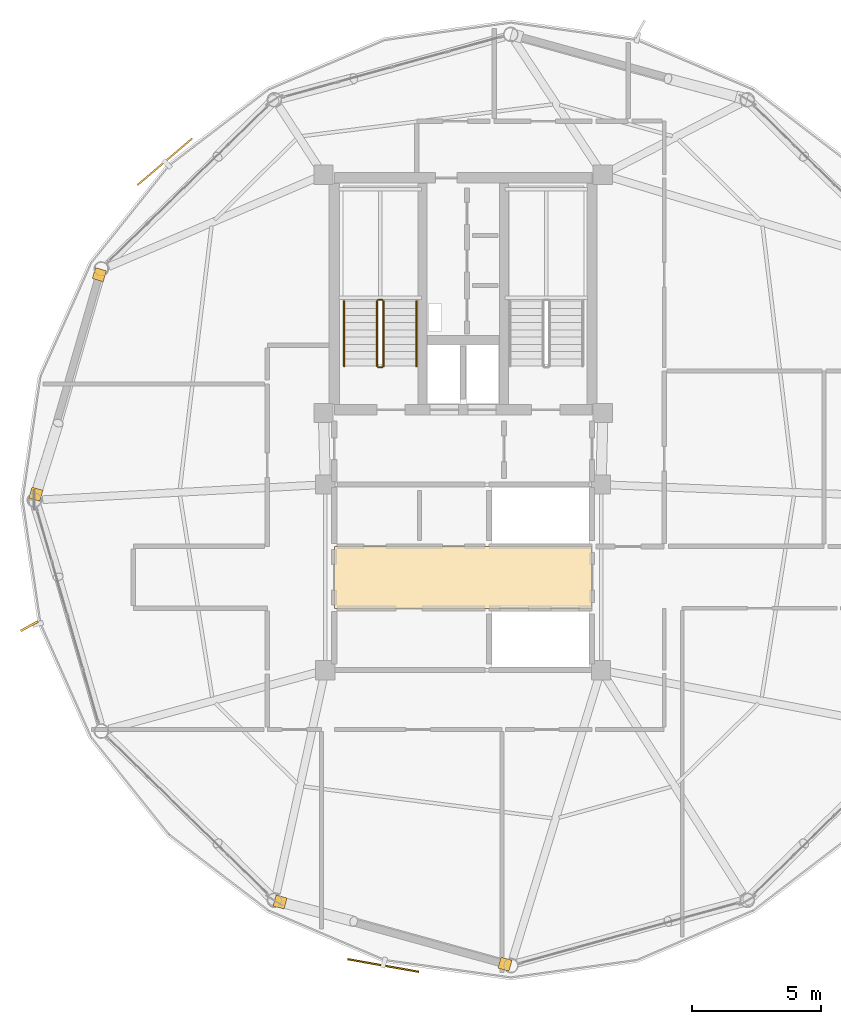
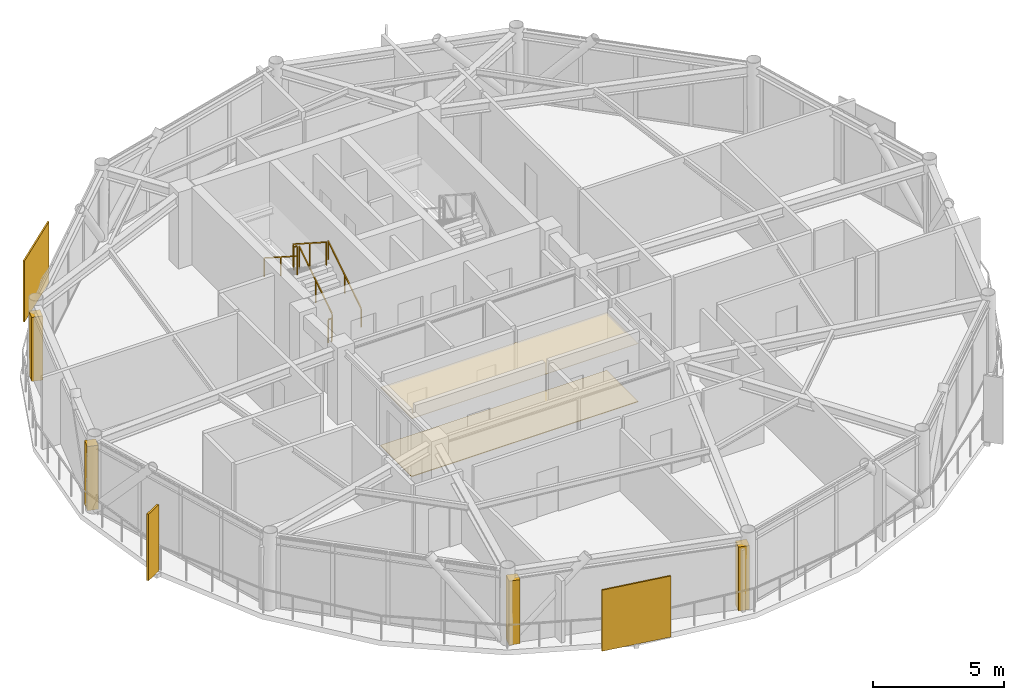
# One storey, part 25 of 27: 6 coverings, 6 railings, 3 shading devices.
"""IFC4 building model written with IfcOpenShell, lengths in metres."""

from ifc_helpers import new_model, si_unit, direction, frame, origin, origin_2d, place, context, subcontext, project, spatial, polyline, rectangle, outline, extrude, source, transform, mapped, material, layer, layer_set, type_object, type_shapes, element, save


model = new_model("IFC4")

# Units and contexts
model_context = context("Model", 3, precision=1e-05, world=origin(), true_north=direction((0.0, 1.0)))
body_context = subcontext(model_context, "Body", "Model", "MODEL_VIEW")
ifc_project = project(units=[si_unit("LENGTHUNIT", "METRE"), si_unit("AREAUNIT", "SQUARE_METRE"), si_unit("VOLUMEUNIT", "CUBIC_METRE"), si_unit("PLANEANGLEUNIT", "RADIAN"), si_unit("MASSUNIT", "GRAM", prefix="KILO")], contexts=[model_context])

# Site, building, storey
site_placement = place(None, origin())
site = spatial("IfcSite", under=ifc_project, at=site_placement, CompositionType="ELEMENT")
building_placement = place(site_placement, origin())
building = spatial("IfcBuilding", under=site, at=building_placement, Name="Varnakorn Sky Granary", CompositionType="ELEMENT")
storey_placement = place(building_placement, frame((0.0, 0.0, 249.0)))
storey = spatial("IfcBuildingStorey", under=building, at=storey_placement, Name="L63", CompositionType="ELEMENT", Elevation=249.0)

# Coverings
ifc_material_1 = material(Name="Perforated Acoustic Mineral-Fibre Ceiling", Category="gypsum")
ifc_layer_1 = layer(ifc_material_1, 0.02001953125, Name="Perforated Acoustic Mineral-Fibre Ceiling")
ifc_layer_set_1 = layer_set([ifc_layer_1], Name="Perforated Acoustic Mineral-Fibre Ceiling")
covering_type_1 = type_object("IfcCoveringType", Name="CV-CEIL-20", PredefinedType="CEILING", material=ifc_layer_set_1)
covering_1_placement = place(storey_placement, frame((0.0, 0.0, 2.7099609375)))
element("IfcCovering", 1, at=covering_1_placement, inside=storey, type_object=covering_type_1, Name="Lift Lobby Perforated Acoustic Ceiling L63", PredefinedType="CEILING", context=body_context, shape_type="SweptSolid", body=[
    extrude(outline(polyline([(-2.0, -4.199951171875), (8.0, -4.199951171875), (8.0, -1.800048828125), (-2.0, -1.800048828125), (-2.0, -4.199951171875)])), origin(), (0.0, 0.0, 1.0), 0.02001953125),
])
ifc_material_2 = material(Name="Honed Epoxy Terrazzo Topping", Category="concrete")
ifc_layer_2 = layer(ifc_material_2, 0.030029296875, Name="Honed Epoxy Terrazzo Topping")
ifc_layer_set_2 = layer_set([ifc_layer_2], Name="Honed Epoxy Terrazzo Topping")
covering_type_2 = type_object("IfcCoveringType", Name="CV-FLOR-30", PredefinedType="FLOORING", material=ifc_layer_set_2)
covering_2_placement = place(storey_placement, origin())
element("IfcCovering", 2, at=covering_2_placement, inside=storey, type_object=covering_type_2, Name="Lift Lobby Terrazzo Floor Finish L63", PredefinedType="FLOORING", context=body_context, shape_type="SweptSolid", body=[
    extrude(outline(polyline([(-2.0, -4.199951171875), (8.0, -4.199951171875), (8.0, -1.800048828125), (-2.0, -1.800048828125), (-2.0, -4.199951171875)])), origin(), (0.0, 0.0, 1.0), 0.030029296875),
])

# Railings
ifc_material_3 = material(Name="Brushed Stainless Steel 316", Category="steel")
railing_type_1 = type_object("IfcRailingType", Name="RL-STAIR-1100", PredefinedType="GUARDRAIL", material=ifc_material_3)
railing_1_placement = place(storey_placement, frame((-0.090087890625, 5.199951171875, 0.179931640625)))
element("IfcRailing", 3, at=railing_1_placement, inside=storey, type_object=railing_type_1, Name="L63 ST-1 stair guard 1", PredefinedType="GUARDRAIL", context=body_context, shape_type="SweptSolid", body=[
    extrude(rectangle(XDim=0.048095703125, YDim=0.048095703125, at=origin_2d()), frame((0.0, 0.0, 1.076171875), z_axis=(0.0, 0.841162588446, 0.540782303519), x_axis=(-1.0, 0.0, 0.0)), (0.0, 0.0, 1.0), 2.995849609375),
    extrude(rectangle(XDim=0.0419921875, YDim=0.0419921875, at=origin_2d()), origin(), (0.0, 0.0, 1.0), 1.048095703125),
    extrude(rectangle(XDim=0.0419921875, YDim=0.0419921875, at=origin_2d()), frame((0.0, 1.260009765625, 0.81005859375)), (0.0, 0.0, 1.0), 1.048095703125),
    extrude(rectangle(XDim=0.0419921875, YDim=0.0419921875, at=origin_2d()), frame((0.0, 2.52001953125, 1.6201171875)), (0.0, 0.0, 1.0), 1.048095703125),
])
railing_2_placement = place(storey_placement, frame((-0.139892578125, 7.77001953125, 1.800048828125)))
element("IfcRailing", 4, at=railing_2_placement, inside=storey, type_object=railing_type_1, Name="L63 ST-1 stair guard 2", PredefinedType="GUARDRAIL", context=body_context, shape_type="SweptSolid", body=[
    extrude(rectangle(XDim=0.048095703125, YDim=0.048095703125, at=origin_2d()), frame((0.0, 0.0, 1.076171875), z_axis=(-1.0, 0.0, 0.0), x_axis=(0.0, -1.0, 0.0)), (0.0, 0.0, 1.0), 0.150146484375),
    extrude(rectangle(XDim=0.0419921875, YDim=0.0419921875, at=origin_2d()), origin(), (0.0, 0.0, 1.0), 1.048095703125),
    extrude(rectangle(XDim=0.0419921875, YDim=0.0419921875, at=origin_2d()), frame((-0.150146484375, 0.0, 0.0)), (0.0, 0.0, 1.0), 1.048095703125),
])
railing_3_placement = place(storey_placement, frame((-0.340087890625, 7.719970703125, 1.97998046875)))
element("IfcRailing", 5, at=railing_3_placement, inside=storey, type_object=railing_type_1, Name="L63 ST-1 stair guard 3", PredefinedType="GUARDRAIL", context=body_context, shape_type="SweptSolid", body=[
    extrude(rectangle(XDim=0.048095703125, YDim=0.048095703125, at=origin_2d()), frame((0.0, 0.0, 1.076171875), z_axis=(0.0, -0.841162588446, 0.540782303519), x_axis=(1.0, 0.0, 0.0)), (0.0, 0.0, 1.0), 2.995849609375),
    extrude(rectangle(XDim=0.0419921875, YDim=0.0419921875, at=origin_2d()), origin(), (0.0, 0.0, 1.0), 1.048095703125),
    extrude(rectangle(XDim=0.0419921875, YDim=0.0419921875, at=origin_2d()), frame((0.0, -1.260009765625, 0.81005859375)), (0.0, 0.0, 1.0), 1.048095703125),
    extrude(rectangle(XDim=0.0419921875, YDim=0.0419921875, at=origin_2d()), frame((0.0, -2.52001953125, 1.6201171875)), (0.0, 0.0, 1.0), 1.048095703125),
])
railing_4_placement = place(storey_placement, frame((-0.139892578125, 5.14990234375, 0.0)))
element("IfcRailing", 6, at=railing_4_placement, inside=storey, type_object=railing_type_1, Name="L63 ST-1 stair guard 4", PredefinedType="GUARDRAIL", context=body_context, shape_type="SweptSolid", body=[
    extrude(rectangle(XDim=0.048095703125, YDim=0.048095703125, at=origin_2d()), frame((0.0, 0.0, 1.076171875), z_axis=(-1.0, 0.0, 0.0), x_axis=(0.0, -1.0, 0.0)), (0.0, 0.0, 1.0), 0.150146484375),
    extrude(rectangle(XDim=0.0419921875, YDim=0.0419921875, at=origin_2d()), origin(), (0.0, 0.0, 1.0), 1.048095703125),
    extrude(rectangle(XDim=0.0419921875, YDim=0.0419921875, at=origin_2d()), frame((-0.150146484375, 0.0, 0.0)), (0.0, 0.0, 1.0), 1.048095703125),
])
railing_type_2 = type_object("IfcRailingType", Name="RL-STAIR-920", PredefinedType="HANDRAIL", material=ifc_material_3)
railing_5_placement = place(storey_placement, frame((1.18994140625, 5.199951171875, 0.179931640625)))
element("IfcRailing", 7, at=railing_5_placement, inside=storey, type_object=railing_type_2, Name="L63 ST-1 stair handrail 1", PredefinedType="HANDRAIL", context=body_context, shape_type="SweptSolid", body=[
    extrude(rectangle(XDim=0.048095703125, YDim=0.048095703125, at=origin_2d()), frame((0.0, 0.0, 0.8759765625), z_axis=(0.0, 0.841162588446, 0.540782303519), x_axis=(-1.0, 0.0, 0.0)), (0.0, 0.0, 1.0), 2.995849609375),
    extrude(rectangle(XDim=0.0419921875, YDim=0.0419921875, at=origin_2d()), origin(), (0.0, 0.0, 1.0), 0.847900390625),
    extrude(rectangle(XDim=0.0419921875, YDim=0.0419921875, at=origin_2d()), frame((0.0, 1.260009765625, 0.81005859375)), (0.0, 0.0, 1.0), 0.847900390625),
    extrude(rectangle(XDim=0.0419921875, YDim=0.0419921875, at=origin_2d()), frame((0.0, 2.52001953125, 1.6201171875)), (0.0, 0.0, 1.0), 0.847900390625),
])
railing_6_placement = place(storey_placement, frame((-1.6201171875, 7.719970703125, 1.97998046875)))
element("IfcRailing", 8, at=railing_6_placement, inside=storey, type_object=railing_type_2, Name="L63 ST-1 stair handrail 2", PredefinedType="HANDRAIL", context=body_context, shape_type="SweptSolid", body=[
    extrude(rectangle(XDim=0.048095703125, YDim=0.048095703125, at=origin_2d()), frame((0.0, 0.0, 0.8759765625), z_axis=(0.0, -0.841162588446, 0.540782303519), x_axis=(1.0, 0.0, 0.0)), (0.0, 0.0, 1.0), 2.995849609375),
    extrude(rectangle(XDim=0.0419921875, YDim=0.0419921875, at=origin_2d()), origin(), (0.0, 0.0, 1.0), 0.847900390625),
    extrude(rectangle(XDim=0.0419921875, YDim=0.0419921875, at=origin_2d()), frame((0.0, -1.260009765625, 0.81005859375)), (0.0, 0.0, 1.0), 0.847900390625),
    extrude(rectangle(XDim=0.0419921875, YDim=0.0419921875, at=origin_2d()), frame((0.0, -2.52001953125, 1.6201171875)), (0.0, 0.0, 1.0), 0.847900390625),
])

# Coverings
ifc_material_4 = material(Name="Anodised Bronze Aluminium Alloy 6063-T6", Category="aluminium")
ifc_layer_3 = layer(ifc_material_4, 0.050048828125, Name="Anodised Bronze Aluminium Alloy 6063-T6")
ifc_layer_set_3 = layer_set([ifc_layer_3], Name="Anodised Bronze Aluminium Alloy 6063-T6")
covering_type_3 = type_object("IfcCoveringType", Name="CV-CLAD-50", PredefinedType="CLADDING", material=ifc_layer_set_3)
shared_shape_1 = source(origin(), body_context, "Body", "SweptSolid", [
    extrude(rectangle(XDim=0.43994140625, YDim=0.43994140625, at=origin_2d()), origin(), (0.0, 0.0, 1.0), 2.989990234375),
])
type_shapes(covering_type_3, [shared_shape_1])
for number, where, z_axis, x_axis, name in (
    (9, (-13.579833984375, 0.225341796875, -0.02001953125), (0.0, 0.0, 1.0), (0.277985336053, 0.960585317887, 0.0), "Bronze Corner Pilaster Closure L63-P06-A"),
    (10, (-11.115478515625, 8.74365234375, -0.02001953125), (0.0, 0.0, 1.0), (0.277985336053, 0.960585317887, 0.0), "Bronze Corner Pilaster Closure L63-P06-B"),
    (11, (4.6240234375, -18.010498046875, -0.02001953125), (0.0, 0.0, 1.0), (-0.963816785945, 0.266565570041, 0.0), "Bronze Corner Pilaster Closure L63-P09-A"),
    (12, (-4.10400390625, -15.597412109375, -0.02001953125), (0.0, 0.0, 1.0), (-0.963816785945, 0.266565570041, 0.0), "Bronze Corner Pilaster Closure L63-P09-B"),
):
    element("IfcCovering", number, at=place(storey_placement, frame(where, z_axis=z_axis, x_axis=x_axis)), inside=storey, type_object=covering_type_3, Name=name, PredefinedType="CLADDING", context=body_context, shape_type="MappedRepresentation", body=[
        mapped(shared_shape_1, transform((0.0, 0.0, 0.0), x_axis=(1.0, 0.0, 0.0), y_axis=(0.0, 1.0, 0.0), z_axis=(0.0, 0.0, 1.0), scale=1.0)),
    ])

# Shading devices
shading_device_type_1 = type_object("IfcShadingDeviceType", Name="SH-FIN-03", PredefinedType="USERDEFINED", material=ifc_material_4)
shared_shape_2 = source(origin(), body_context, "Body", "SweptSolid", [
    extrude(rectangle(XDim=0.0849609375, YDim=0.760009765625, at=origin_2d()), origin(), (0.0, 0.0, 1.0), 3.10009765625),
])
type_shapes(shading_device_type_1, [shared_shape_2])
shading_device_placement = place(storey_placement, frame((-13.831787109375, -4.893798828125, -0.0400390625), z_axis=(0.0, 0.0, 1.0), x_axis=(0.479066671244, -0.87777851677, 0.0)))
element("IfcShadingDevice", 13, at=shading_device_placement, inside=storey, type_object=shading_device_type_1, Name="Bronze Solar-Tracking Vertical Blade FIN L63-07", ObjectType="FIN", PredefinedType="USERDEFINED", context=body_context, shape_type="MappedRepresentation", body=[
    mapped(shared_shape_2, transform((0.0, 0.0, 0.0), x_axis=(1.0, 0.0, 0.0), y_axis=(0.0, 1.0, 0.0), z_axis=(0.0, 0.0, 1.0), scale=1.0)),
])
shading_device_type_2 = type_object("IfcShadingDeviceType", Name="SH-SCR-03", PredefinedType="USERDEFINED", material=ifc_material_4)
shared_shape_3 = source(origin(), body_context, "Body", "SweptSolid", [
    extrude(rectangle(XDim=2.800048828125, YDim=0.06494140625, at=origin_2d()), origin(), (0.0, 0.0, 1.0), 2.85009765625),
])
type_shapes(shading_device_type_2, [shared_shape_3])
for number, where, z_axis, x_axis, name in (
    (14, (-8.576416015625, 13.1240234375, -0.0400390625), (0.0, 0.0, 1.0), (-0.761512770193, -0.648149906143, 0.0), "Perforated Bronze Solar Screen Panel SCREEN L63-05"),
    (15, (-0.099853515625, -18.060546875, -0.0400390625), (0.0, 0.0, 1.0), (0.984573694028, -0.174970400432, 0.0), "Perforated Bronze Solar Screen Panel SCREEN L63-09"),
):
    element("IfcShadingDevice", number, at=place(storey_placement, frame(where, z_axis=z_axis, x_axis=x_axis)), inside=storey, type_object=shading_device_type_2, Name=name, ObjectType="SCREEN", PredefinedType="USERDEFINED", context=body_context, shape_type="MappedRepresentation", body=[
        mapped(shared_shape_3, transform((0.0, 0.0, 0.0), x_axis=(1.0, 0.0, 0.0), y_axis=(0.0, 1.0, 0.0), z_axis=(0.0, 0.0, 1.0), scale=1.0)),
    ])

save(model, "model.ifc")
